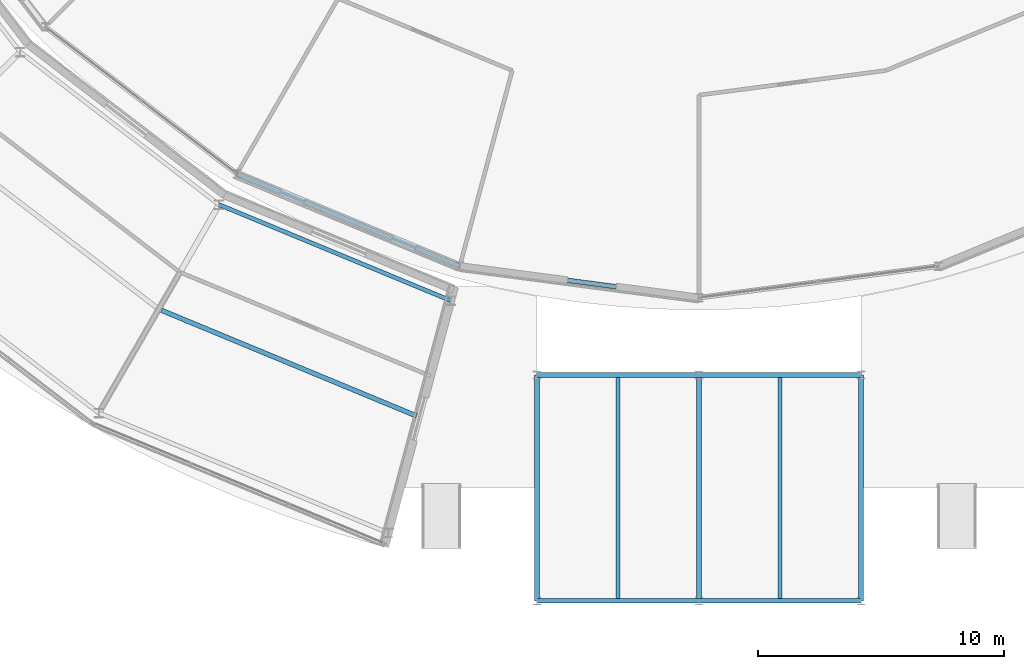
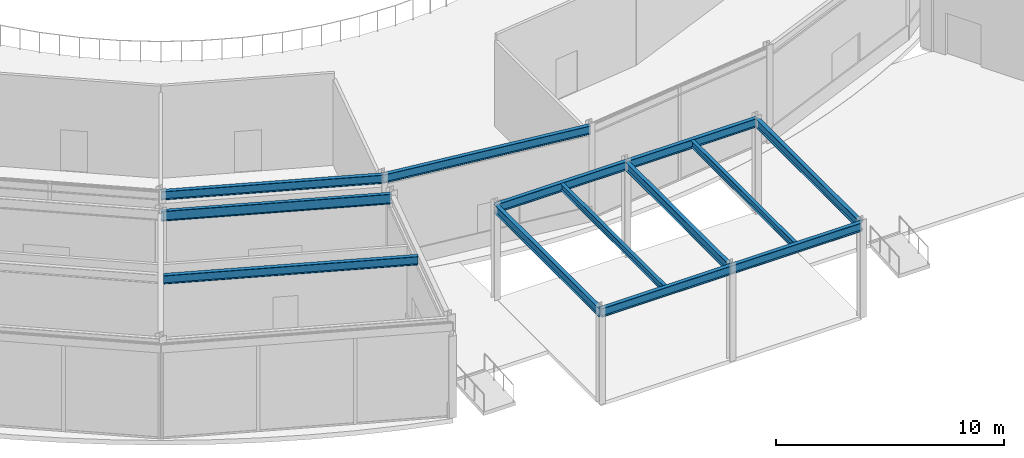
# One storey, part 42 of 168: 13 beams.
"""IFC4 building model written with IfcOpenShell, lengths in metres."""

from ifc_helpers import new_model, si_unit, direction, frame, origin, origin_2d, place, context, subcontext, project, spatial, i_section, extrude, material, material_profile, profile_set, type_object, element, save


model = new_model("IFC4")

# Units and contexts
model_context = context("Model", 3, precision=1e-05, world=origin(), true_north=direction((0.0, 1.0)))
body_context = subcontext(model_context, "Body", "Model", "MODEL_VIEW")
ifc_project = project(units=[si_unit("LENGTHUNIT", "METRE"), si_unit("AREAUNIT", "SQUARE_METRE"), si_unit("VOLUMEUNIT", "CUBIC_METRE"), si_unit("PLANEANGLEUNIT", "RADIAN"), si_unit("MASSUNIT", "GRAM", prefix="KILO")], contexts=[model_context])

# Site, building, storey
site_placement = place(None, origin())
site = spatial("IfcSite", under=ifc_project, at=site_placement, CompositionType="ELEMENT")
building_placement = place(site_placement, origin())
building = spatial("IfcBuilding", under=site, at=building_placement, Name="Almandine Court Research Institute", CompositionType="ELEMENT")
storey_placement = place(building_placement, origin())
storey = spatial("IfcBuildingStorey", under=building, at=storey_placement, Name="L00", CompositionType="ELEMENT", Elevation=0.0)

# Beams
ifc_material = material(Name="Steel ASTM A992 Grade 50", Category="steel")
ifc_material_profile_1 = material_profile(ifc_material, i_section(OverallWidth=0.18994140625, OverallDepth=0.45703125, WebThickness=0.009033203125, FlangeThickness=0.014892578125, at=origin_2d()), Name="W460x74")
ifc_profile_set_1 = profile_set([ifc_material_profile_1], Name="Steel ASTM A992 Grade 50")
beam_type_1 = type_object("IfcBeamType", Name="Beam-B-01", PredefinedType="BEAM", material=ifc_profile_set_1)
beam_1_placement = place(storey_placement, frame((87.0, 6.0, 4.841064453125), z_axis=(0.0, 1.0, 0.0), x_axis=(-1.0, 0.0, 0.0)))
element("IfcBeam", 1, at=beam_1_placement, inside=storey, type_object=beam_type_1, Name="L00 PSH-S Primary Y Girder", PredefinedType="BEAM", context=body_context, shape_type="SweptSolid", body=[
    extrude(i_section(OverallWidth=0.18994140625, OverallDepth=0.45703125, WebThickness=0.009033203125, FlangeThickness=0.014892578125, at=origin_2d()), origin(), (0.0, 0.0, 1.0), 9.199951171875),
])
beam_2_placement = place(storey_placement, frame((65.10400390625, 17.8349609375, 4.794921875), z_axis=(0.923867365447, -0.382712804936, 0.0), x_axis=(0.382712804936, 0.923867365447, 0.0)))
element("IfcBeam", 2, at=beam_2_placement, inside=storey, type_object=beam_type_1, Name="L00 Drum MID Ring Beam 16", PredefinedType="BEAM", context=body_context, shape_type="SweptSolid", body=[
    extrude(i_section(OverallWidth=0.18994140625, OverallDepth=0.45703125, WebThickness=0.009033203125, FlangeThickness=0.014892578125, at=origin_2d()), origin(), (0.0, 0.0, 1.0), 11.24853515625),
])
beam_3_placement = place(storey_placement, frame((68.175048828125, 23.39404296875, 4.841064453125), z_axis=(0.92387967829, -0.382683080424, 0.0), x_axis=(0.382683080424, 0.92387967829, 0.0)))
element("IfcBeam", 3, at=beam_3_placement, inside=storey, type_object=beam_type_1, Name="L00 Atrium Outer Ring Beam", PredefinedType="BEAM", context=body_context, shape_type="SweptSolid", body=[
    extrude(i_section(OverallWidth=0.18994140625, OverallDepth=0.45703125, WebThickness=0.009033203125, FlangeThickness=0.014892578125, at=origin_2d()), origin(), (0.0, 0.0, 1.0), 9.827880859375),
])
beam_4_placement = place(storey_placement, frame((77.2548828125, 19.633056640625, 4.841064453125), z_axis=(0.991444993461, -0.130525188913, 0.0), x_axis=(0.130525188913, 0.991444993461, 0.0)))
element("IfcBeam", 4, at=beam_4_placement, inside=storey, type_object=beam_type_1, Name="L00 Atrium Outer Ring Beam", PredefinedType="BEAM", context=body_context, shape_type="SweptSolid", body=[
    extrude(i_section(OverallWidth=0.18994140625, OverallDepth=0.45703125, WebThickness=0.009033203125, FlangeThickness=0.014892578125, at=origin_2d()), origin(), (0.0, 0.0, 1.0), 9.8291015625),
])
ifc_material_profile_2 = material_profile(ifc_material, i_section(OverallWidth=0.172119140625, OverallDepth=0.35791015625, WebThickness=0.008056640625, FlangeThickness=0.012939453125, at=origin_2d()), Name="W360x57")
ifc_profile_set_2 = profile_set([ifc_material_profile_2], Name="Steel ASTM A992 Grade 50")
beam_type_2 = type_object("IfcBeamType", Name="Beam-B-03", PredefinedType="JOIST", material=ifc_profile_set_2)
for number, where, z_axis, x_axis, name in (
    (5, (83.699951171875, 6.094970703125, 4.89111328125), (0.0, 1.0, 0.0), (-1.0, 0.0, 0.0), "L00 PSH-S Composite Secondary Beam"),
    (6, (90.300048828125, 6.094970703125, 4.89111328125), (0.0, 1.0, 0.0), (-1.0, 0.0, 0.0), "L00 PSH-S Composite Secondary Beam"),
):
    element("IfcBeam", number, at=place(storey_placement, frame(where, z_axis=z_axis, x_axis=x_axis)), inside=storey, type_object=beam_type_2, Name=name, PredefinedType="JOIST", context=body_context, shape_type="SweptSolid", body=[
        extrude(i_section(OverallWidth=0.172119140625, OverallDepth=0.35791015625, WebThickness=0.008056640625, FlangeThickness=0.012939453125, at=origin_2d()), origin(), (0.0, 0.0, 1.0), 9.010009765625),
    ])
ifc_material_profile_3 = material_profile(ifc_material, i_section(OverallWidth=0.166015625, OverallDepth=0.534912109375, WebThickness=0.010009765625, FlangeThickness=0.01708984375, at=origin_2d()), Name="W530x85")
ifc_profile_set_3 = profile_set([ifc_material_profile_3], Name="Steel ASTM A992 Grade 50")
beam_type_3 = type_object("IfcBeamType", Name="Beam-G-05-E", PredefinedType="SPANDREL", material=ifc_profile_set_3)
beam_5_placement = place(storey_placement, frame((67.449951171875, 22.137939453125, 4.756103515625), z_axis=(0.923879522758, -0.382683455912, 0.0), x_axis=(0.382683455912, 0.923879522758, 0.0)))
element("IfcBeam", 7, at=beam_5_placement, inside=storey, type_object=beam_type_3, Name="L00 Drum IN Ring Beam 16", PredefinedType="SPANDREL", context=body_context, shape_type="SweptSolid", body=[
    extrude(i_section(OverallWidth=0.166015625, OverallDepth=0.534912109375, WebThickness=0.010009765625, FlangeThickness=0.01708984375, at=origin_2d()), origin(), (0.0, 0.0, 1.0), 10.206787109375),
])
ifc_material_profile_4 = material_profile(ifc_material, i_section(OverallWidth=0.193115234375, OverallDepth=0.466064453125, WebThickness=0.010986328125, FlangeThickness=0.01904296875, at=origin_2d()), Name="W460x97")
ifc_profile_set_4 = profile_set([ifc_material_profile_4], Name="Steel ASTM A992 Grade 50")
beam_type_4 = type_object("IfcBeamType", Name="Beam-G-06-E", PredefinedType="SPANDREL", material=ifc_profile_set_4)
for number, where, z_axis, x_axis, name in (
    (8, (80.39990234375, 6.0, 4.8369140625), (1.0, 0.0, 0.0), (0.0, 1.0, 0.0), "L00 PSH-S Primary X Girder"),
    (9, (87.0, 6.0, 4.8369140625), (1.0, 0.0, 0.0), (0.0, 1.0, 0.0), "L00 PSH-S Primary X Girder"),
    (10, (80.39990234375, 15.199951171875, 4.8369140625), (1.0, 0.0, 0.0), (0.0, 1.0, 0.0), "L00 PSH-S Primary X Girder"),
    (11, (87.0, 15.199951171875, 4.8369140625), (1.0, 0.0, 0.0), (0.0, 1.0, 0.0), "L00 PSH-S Primary X Girder"),
):
    element("IfcBeam", number, at=place(storey_placement, frame(where, z_axis=z_axis, x_axis=x_axis)), inside=storey, type_object=beam_type_4, Name=name, PredefinedType="SPANDREL", context=body_context, shape_type="SweptSolid", body=[
        extrude(i_section(OverallWidth=0.193115234375, OverallDepth=0.466064453125, WebThickness=0.010986328125, FlangeThickness=0.01904296875, at=origin_2d()), origin(), (0.0, 0.0, 1.0), 6.60009765625),
    ])
for number, where, z_axis, x_axis, name in (
    (12, (80.39990234375, 6.0, 4.8369140625), (0.0, 1.0, 0.0), (-1.0, 0.0, 0.0), "L00 PSH-S Primary Y Girder"),
    (13, (93.60009765625, 6.0, 4.8369140625), (0.0, 1.0, 0.0), (-1.0, 0.0, 0.0), "L00 PSH-S Primary Y Girder"),
):
    element("IfcBeam", number, at=place(storey_placement, frame(where, z_axis=z_axis, x_axis=x_axis)), inside=storey, type_object=beam_type_4, Name=name, PredefinedType="SPANDREL", context=body_context, shape_type="SweptSolid", body=[
        extrude(i_section(OverallWidth=0.193115234375, OverallDepth=0.466064453125, WebThickness=0.010986328125, FlangeThickness=0.01904296875, at=origin_2d()), origin(), (0.0, 0.0, 1.0), 9.199951171875),
    ])

save(model, "model.ifc")
